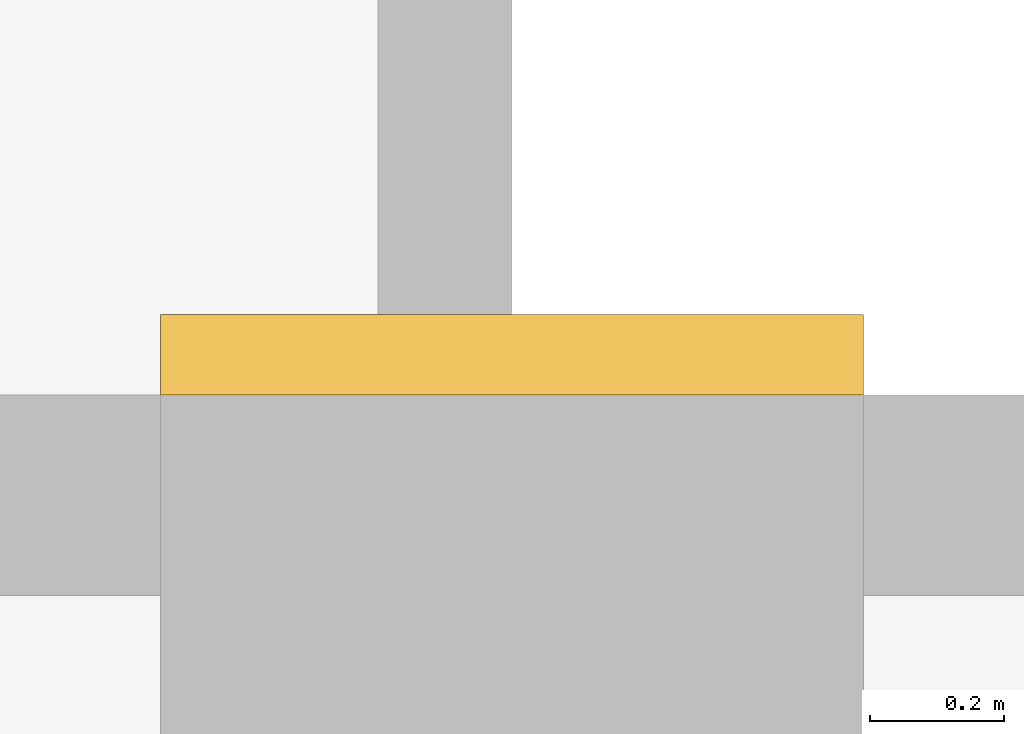
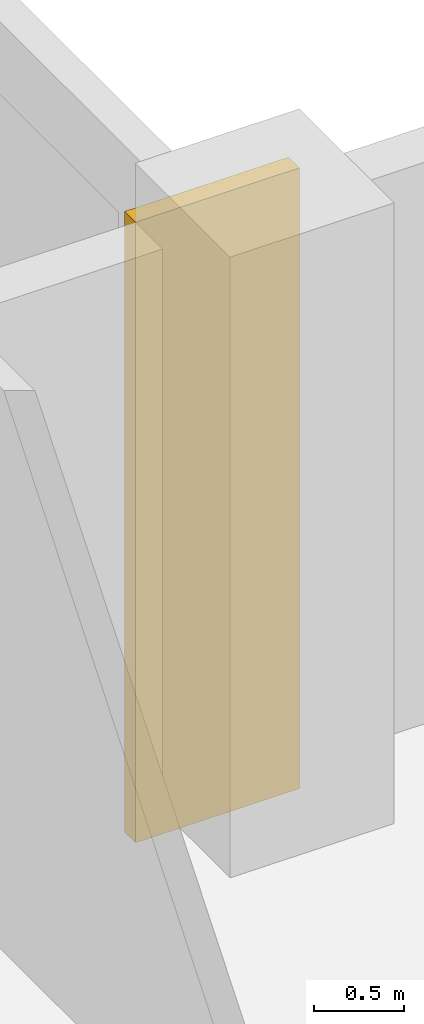
# One storey, part 15 of 15: 1 covering.
"""IFC4 building model written with IfcOpenShell, lengths in metres."""

from ifc_helpers import new_model, si_unit, direction, frame, origin, origin_2d, place, context, subcontext, project, spatial, rectangle, extrude, source, transform, mapped, material, type_object, element, save


model = new_model("IFC4")

# Units and contexts
model_context = context("Model", 3, precision=1e-05, world=origin(), true_north=direction((0.0, 1.0)))
body_context = subcontext(model_context, "Body", "Model", "MODEL_VIEW")
ifc_project = project(units=[si_unit("LENGTHUNIT", "METRE"), si_unit("AREAUNIT", "SQUARE_METRE"), si_unit("VOLUMEUNIT", "CUBIC_METRE"), si_unit("PLANEANGLEUNIT", "RADIAN"), si_unit("MASSUNIT", "GRAM", prefix="KILO")], contexts=[model_context])

# Site, building, storey
site_placement = place(None, origin())
site = spatial("IfcSite", under=ifc_project, at=site_placement, CompositionType="ELEMENT")
building_placement = place(site_placement, origin())
building = spatial("IfcBuilding", under=site, at=building_placement, Name="Aurelian Terraces", CompositionType="ELEMENT")
storey_placement = place(building_placement, frame((0.0, 0.0, 120.3)))
storey = spatial("IfcBuildingStorey", under=building, at=storey_placement, Name="L26", CompositionType="ELEMENT", Elevation=120.3)

# Covering
ifc_material = material(Name="Terracotta rainscreen cladding relief", Category="masonry")
covering_type = type_object("IfcCoveringType", Name="BAGUETTE-TC", PredefinedType="CLADDING", material=ifc_material)
shared_shape = source(origin(), body_context, "Body", "SweptSolid", [
    extrude(rectangle(XDim=1.05, YDim=0.12, at=origin_2d()), origin(), (0.0, 0.0, 1.0), 4.2),
])
covering_placement = place(storey_placement, frame((63.84, 21.06, -0.4), z_axis=(0.0, 0.0, 1.0), x_axis=(1.0, 0.0, 0.0)))
element("IfcCovering", 1, at=covering_placement, inside=storey, type_object=covering_type, Name="BAGUETTE pier L26 9", PredefinedType="CLADDING", context=body_context, shape_type="MappedRepresentation", body=[
    mapped(shared_shape, transform((0.0, 0.0, 0.0), scale=1.0)),
])

save(model, "model.ifc")
